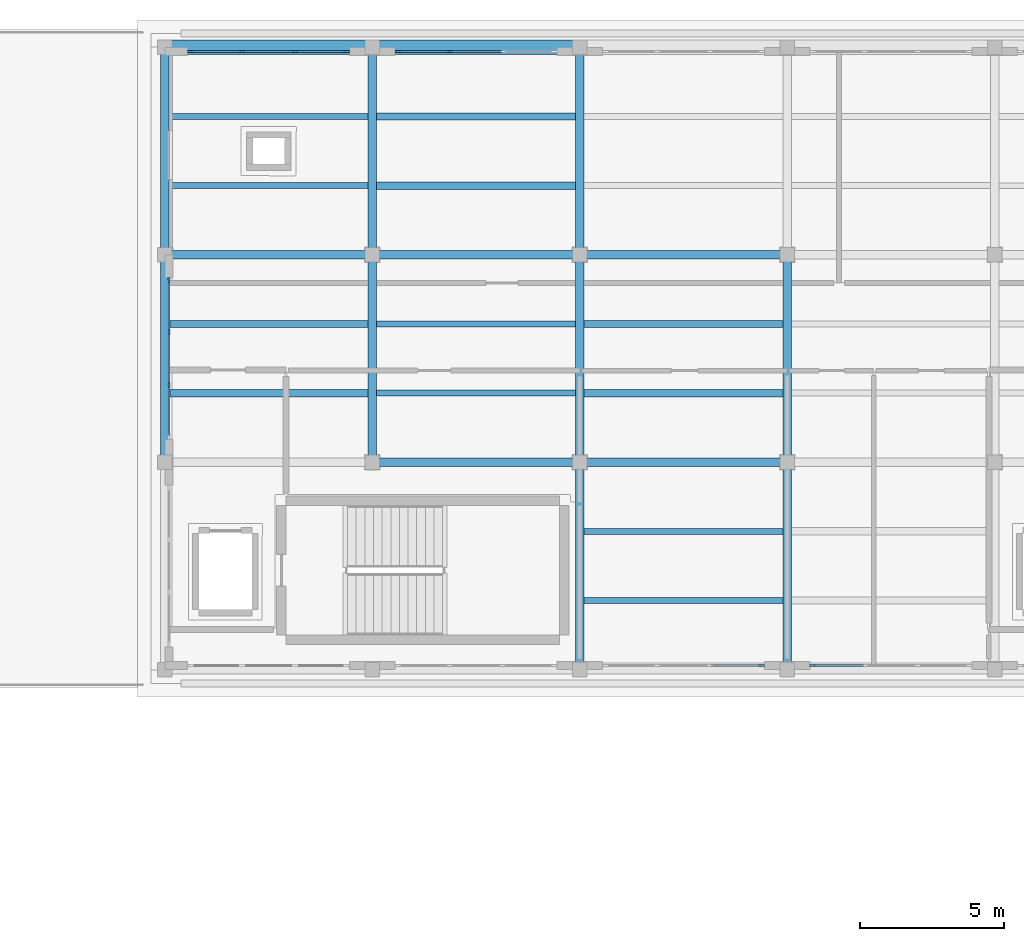
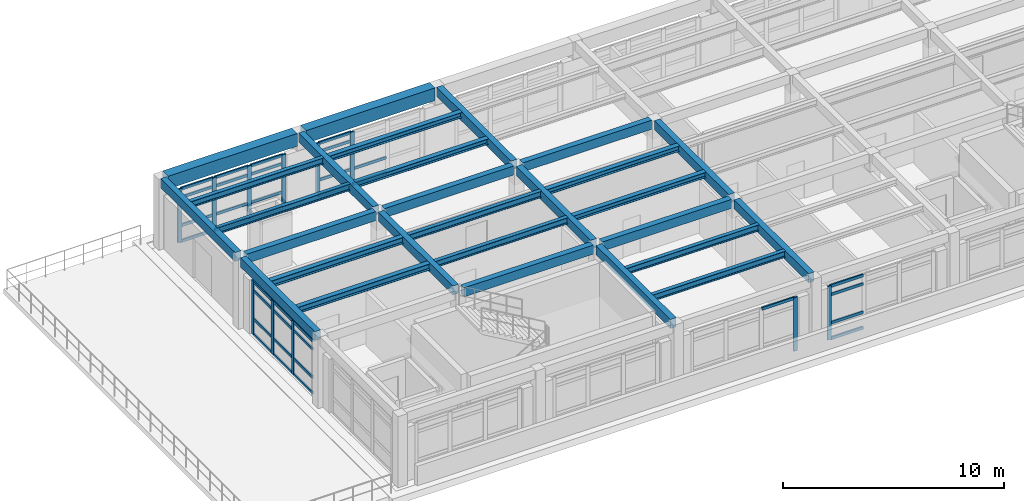
# One storey, part 3 of 15: 46 members, 28 beams, 5 elements without a shape of their own.
"""IFC4 building model written with IfcOpenShell, lengths in metres."""

import ifcopenshell
import ifcopenshell.guid

model = None  # the IFC model being written
_history = None  # IfcOwnerHistory: only IFC2X3 demands one
_inside = {}  # id of a spatial element -> (the spatial element, [elements in it])
_under = {}  # id of a project, library or spatial element -> (it, [spatial elements below it])
_declared = {}  # id of a project -> (the project, [libraries it declares])
_typed = {}  # id of a type object -> (the type object, [elements of that type])
_made_of = {}  # id of a material, layer set ... -> (it, [elements and type objects made of it])


def new_model(schema):
    """Start an empty IFC model of exactly this schema.

    Asked for "IFC4X3", IfcOpenShell would pick the latest addendum, in which some entities
    have other attributes; the version numbers below select the first issue.
    IFC2X3 requires an IfcOwnerHistory on every rooted entity: one is made here for all.
    """
    global model, _history
    if schema == "IFC4X3":
        model = ifcopenshell.file(schema_version=(4, 3, 0, 0))
    else:
        model = ifcopenshell.file(schema=schema)
    _inside.clear()
    _under.clear()
    _declared.clear()
    _typed.clear()
    _made_of.clear()
    _history = None
    if model.schema == "IFC2X3":
        org = make("IfcOrganization", Name="unknown")
        user = make(
            "IfcPersonAndOrganization",
            ThePerson=make("IfcPerson", FamilyName="unknown"),
            TheOrganization=org,
        )
        app = make(
            "IfcApplication",
            ApplicationDeveloper=org,
            Version="unknown",
            ApplicationFullName="unknown",
            ApplicationIdentifier="unknown",
        )
        _history = make(
            "IfcOwnerHistory",
            OwningUser=user,
            OwningApplication=app,
            ChangeAction="ADDED",
            CreationDate=0,
        )
    return model


def make(cls, **values):
    """One entity of the class cls with the attributes given. An attribute that is None is left unset."""
    return model.create_entity(
        cls, **{name: value for name, value in values.items() if value is not None}
    )


def rooted(cls, **values):
    """An entity with a GlobalId (a new one), such as an element, a storey or a relation."""
    return make(cls, GlobalId=ifcopenshell.guid.new(), OwnerHistory=_history, **values)


def si_unit(unit_type, name, prefix=None):
    """IfcSIUnit, for example si_unit("LENGTHUNIT", "METRE", prefix="MILLI")."""
    return make("IfcSIUnit", UnitType=unit_type, Prefix=prefix, Name=name)


def assignment(units):
    """IfcUnitAssignment: the units of a project."""
    return None if units is None else make("IfcUnitAssignment", Units=units)


def point(xyz):
    """IfcCartesianPoint."""
    return None if xyz is None else make("IfcCartesianPoint", Coordinates=xyz)


def direction(xyz):
    """IfcDirection."""
    return None if xyz is None else make("IfcDirection", DirectionRatios=xyz)


def frame(location, z_axis=None, x_axis=None):
    """IfcAxis2Placement3D, a coordinate frame: its origin and axes. An axis left out is left unset."""
    return make(
        "IfcAxis2Placement3D",
        Location=point(location),
        Axis=direction(z_axis),
        RefDirection=direction(x_axis),
    )


def frame_2d(location, x_axis=None):
    """IfcAxis2Placement2D, a coordinate frame in the plane: its origin and x axis."""
    return make(
        "IfcAxis2Placement2D", Location=point(location), RefDirection=direction(x_axis)
    )


def origin():
    """The frame at (0, 0, 0) with its axes left unset."""
    return frame((0.0, 0.0, 0.0))


def origin_2d():
    """The frame at (0, 0) in the plane with its x axis left unset."""
    return frame_2d((0.0, 0.0))


def place(relative_to, where):
    """IfcLocalPlacement: puts the frame where relative to a parent placement (None: the world)."""
    return make(
        "IfcLocalPlacement", PlacementRelTo=relative_to, RelativePlacement=where
    )


def context(
    kind, dimensions, precision=None, world=None, true_north=None, identifier=None
):
    """IfcGeometricRepresentationContext, for example the 3D "Model" context."""
    return make(
        "IfcGeometricRepresentationContext",
        ContextIdentifier=identifier,
        ContextType=kind,
        CoordinateSpaceDimension=dimensions,
        Precision=precision,
        WorldCoordinateSystem=world,
        TrueNorth=true_north,
    )


def subcontext(parent, identifier, kind, view, scale=None):
    """IfcGeometricRepresentationSubContext, for example "Body" below "Model"."""
    return make(
        "IfcGeometricRepresentationSubContext",
        ContextIdentifier=identifier,
        ContextType=kind,
        ParentContext=parent,
        TargetScale=scale,
        TargetView=view,
    )


def project(units=None, contexts=None):
    """IfcProject with its units and contexts."""
    return rooted(
        "IfcProject",
        Name="project",
        RepresentationContexts=contexts,
        UnitsInContext=assignment(units),
    )


def spatial(cls, under=None, at=None, **own):
    """A site, building, storey or space (cls), placed at a placement, below another one or the project."""
    s = rooted(cls, ObjectPlacement=at, **own)
    if under is not None:
        _under.setdefault(under.id(), (under, []))[1].append(s)
    return s


def profile(cls, at=None, kind="AREA", **sizes):
    """A parametric profile (cls). Its sizes go by their IFC names, for example OverallWidth=200.0."""
    return make(cls, ProfileType=kind, Position=at, **sizes)


def rectangle(**sizes):
    """IfcRectangleProfileDef."""
    return profile("IfcRectangleProfileDef", **sizes)


def i_section(**sizes):
    """IfcIShapeProfileDef."""
    return profile("IfcIShapeProfileDef", **sizes)


def extrude(swept, where, along, depth):
    """IfcExtrudedAreaSolid: the profile swept, set in the frame where, extruded along a direction by depth."""
    return make(
        "IfcExtrudedAreaSolid",
        SweptArea=swept,
        Position=where,
        ExtrudedDirection=direction(along),
        Depth=depth,
    )


def shape(context_of_items, identifier, shape_type, items):
    """IfcShapeRepresentation: the items that make up one representation, for example the "Body"."""
    return make(
        "IfcShapeRepresentation",
        ContextOfItems=context_of_items,
        RepresentationIdentifier=identifier,
        RepresentationType=shape_type,
        Items=items,
    )


def material(Name=None, Category=None):
    """IfcMaterial."""
    return make("IfcMaterial", Name=Name, Category=Category)


def layer(
    of_material, thickness, ventilated=None, Name=None, Category=None, Priority=None
):
    """IfcMaterialLayer: one layer of a wall or slab, of a material (None: an air gap)."""
    return make(
        "IfcMaterialLayer",
        Material=of_material,
        LayerThickness=thickness,
        IsVentilated=ventilated,
        Name=Name,
        Category=Category,
        Priority=Priority,
    )


def layer_set(layers, Name=None):
    """IfcMaterialLayerSet."""
    return make("IfcMaterialLayerSet", MaterialLayers=layers, LayerSetName=Name)


def material_profile(
    of_material, cross_section, Name=None, Category=None, Priority=None
):
    """IfcMaterialProfile: a cross section and its material."""
    return make(
        "IfcMaterialProfile",
        Name=Name,
        Material=of_material,
        Profile=cross_section,
        Priority=Priority,
        Category=Category,
    )


def profile_set(profiles, Name=None, composite=None):
    """IfcMaterialProfileSet."""
    return make(
        "IfcMaterialProfileSet",
        Name=Name,
        MaterialProfiles=profiles,
        CompositeProfile=composite,
    )


def made_of(thing, what):
    """Note that an element or type object is made of a material, layer set ...; save() writes the relation."""
    if what is not None:
        _made_of.setdefault(what.id(), (what, []))[1].append(thing)
    return thing


def type_object(cls, material=None, **own):
    """A type object (cls), such as IfcWallType, which elements share."""
    return made_of(rooted(cls, **own), material)


def element(
    cls,
    number,
    at=None,
    inside=None,
    cuts=None,
    type_object=None,
    material=None,
    context=None,
    identifier="Body",
    shape_type=None,
    held_by="IfcProductDefinitionShape",
    body=None,
    shapes=None,
    **own,
):
    """One element of the class cls, such as IfcWall. Its Tag is "e" and its number.

    at: its placement. inside: the storey or other place that contains it. cuts: it is an
    opening in that element (IfcRelVoidsElement). A single representation is given by context,
    identifier, shape_type and body (its items); several are given by shapes. held_by: the class
    of the entity that holds the representations. save() writes the other relations.
    """
    e = rooted(cls, Tag="e%d" % number, ObjectPlacement=at, **own)
    if body is not None:
        shapes = [shape(context, identifier, shape_type, body)]
    if shapes is not None:
        e.Representation = make(held_by, Representations=shapes)
    if inside is not None:
        _inside.setdefault(inside.id(), (inside, []))[1].append(e)
    if cuts is not None:
        rooted(
            "IfcRelVoidsElement", RelatingBuildingElement=cuts, RelatedOpeningElement=e
        )
    if type_object is not None:
        _typed.setdefault(type_object.id(), (type_object, []))[1].append(e)
    return made_of(e, material)


def aggregate(whole, parts):
    """IfcRelAggregates: a whole, such as a stair, and the parts it consists of."""
    return rooted("IfcRelAggregates", RelatingObject=whole, RelatedObjects=parts)


def save(model, path):
    """Write the relations noted so far, then the file.

    IfcRelAggregates (storeys below a building ...), IfcRelContainedInSpatialStructure (elements
    in a storey), IfcRelDefinesByType, IfcRelAssociatesMaterial and IfcRelDeclares: one each for
    every whole, place, type object, material and project.
    """
    for whole, parts in _under.values():
        aggregate(whole, parts)
    for where, things in _inside.values():
        rooted(
            "IfcRelContainedInSpatialStructure",
            RelatedElements=things,
            RelatingStructure=where,
        )
    for kind, things in _typed.values():
        rooted("IfcRelDefinesByType", RelatedObjects=things, RelatingType=kind)
    for what, things in _made_of.values():
        rooted("IfcRelAssociatesMaterial", RelatedObjects=things, RelatingMaterial=what)
    for by, libraries in _declared.values():
        rooted("IfcRelDeclares", RelatingContext=by, RelatedDefinitions=libraries)
    model.write(path)


model = new_model("IFC4")

# Units and contexts
model_context = context("Model", 3, precision=1e-05, world=origin(), true_north=direction((0.0, 1.0)))
body_context = subcontext(model_context, "Body", "Model", "MODEL_VIEW")
ifc_project = project(units=[si_unit("LENGTHUNIT", "METRE"), si_unit("AREAUNIT", "SQUARE_METRE"), si_unit("VOLUMEUNIT", "CUBIC_METRE"), si_unit("PLANEANGLEUNIT", "RADIAN"), si_unit("MASSUNIT", "GRAM", prefix="KILO")], contexts=[model_context])

# Site, building, storey
site_placement = place(None, origin())
site = spatial("IfcSite", under=ifc_project, at=site_placement, CompositionType="ELEMENT")
building_placement = place(site_placement, origin())
building = spatial("IfcBuilding", under=site, at=building_placement, Name="Solenvale Faculty of Natural Sciences", CompositionType="ELEMENT")
storey_placement = place(building_placement, frame((0.0, 0.0, 48.0)))
storey = spatial("IfcBuildingStorey", under=building, at=storey_placement, Name="L11", CompositionType="ELEMENT", Elevation=48.0)

# Beams
ifc_material_1 = material(Name="Concrete 40 MPa", Category="concrete")
ifc_material_profile_1 = material_profile(ifc_material_1, rectangle(XDim=0.300048828125, YDim=0.5, at=origin_2d()), Name="RC-BM-300x500")
ifc_profile_set_1 = profile_set([ifc_material_profile_1], Name="Concrete 40 MPa")
beam_type_1 = type_object("IfcBeamType", Name="BM-RC-300x500", PredefinedType="BEAM", material=ifc_profile_set_1)
for number, where, z_axis, x_axis, name in (
    (1, (108.22998046875, 100.800048828125, 3.669921875), (1.0, 0.0, 0.0), (0.0, 1.0, 0.0), "L11 X-Girder Y100.8 (108.0..115.2)"),
    (2, (115.429931640625, 100.800048828125, 3.669921875), (1.0, 0.0, 0.0), (0.0, 1.0, 0.0), "L11 X-Girder Y100.8 (115.2..122.4)"),
    (3, (101.030029296875, 108.0, 3.669921875), (1.0, 0.0, 0.0), (0.0, 1.0, 0.0), "L11 X-Girder Y108.0 (100.8..108.0)"),
    (4, (108.22998046875, 108.0, 3.669921875), (1.0, 0.0, 0.0), (0.0, 1.0, 0.0), "L11 X-Girder Y108.0 (108.0..115.2)"),
    (5, (115.429931640625, 108.0, 3.669921875), (1.0, 0.0, 0.0), (0.0, 1.0, 0.0), "L11 X-Girder Y108.0 (115.2..122.4)"),
    (6, (100.800048828125, 101.030029296875, 3.669921875), (0.0, 1.0, 0.0), (-1.0, 0.0, 0.0), "L11 Y-Girder X100.8 (100.8..108.0)"),
    (7, (100.800048828125, 108.22998046875, 3.669921875), (0.0, 1.0, 0.0), (-1.0, 0.0, 0.0), "L11 Y-Girder X100.8 (108.0..115.2)"),
    (8, (108.0, 101.030029296875, 3.669921875), (0.0, 1.0, 0.0), (-1.0, 0.0, 0.0), "L11 Y-Girder X108.0 (100.8..108.0)"),
    (9, (108.0, 108.22998046875, 3.669921875), (0.0, 1.0, 0.0), (-1.0, 0.0, 0.0), "L11 Y-Girder X108.0 (108.0..115.2)"),
    (10, (115.199951171875, 93.830078125, 3.669921875), (0.0, 1.0, 0.0), (-1.0, 0.0, 0.0), "L11 Y-Girder X115.2 (93.6..100.8)"),
    (11, (115.199951171875, 101.030029296875, 3.669921875), (0.0, 1.0, 0.0), (-1.0, 0.0, 0.0), "L11 Y-Girder X115.2 (100.8..108.0)"),
    (12, (115.199951171875, 108.22998046875, 3.669921875), (0.0, 1.0, 0.0), (-1.0, 0.0, 0.0), "L11 Y-Girder X115.2 (108.0..115.2)"),
    (13, (122.39990234375, 93.830078125, 3.669921875), (0.0, 1.0, 0.0), (-1.0, 0.0, 0.0), "L11 Y-Girder X122.4 (93.6..100.8)"),
    (14, (122.39990234375, 101.030029296875, 3.669921875), (0.0, 1.0, 0.0), (-1.0, 0.0, 0.0), "L11 Y-Girder X122.4 (100.8..108.0)"),
):
    element("IfcBeam", number, at=place(storey_placement, frame(where, z_axis=z_axis, x_axis=x_axis)), inside=storey, type_object=beam_type_1, Name=name, PredefinedType="BEAM", context=body_context, shape_type="SweptSolid", body=[
        extrude(rectangle(XDim=0.300048828125, YDim=0.5, at=origin_2d()), origin(), (0.0, 0.0, 1.0), 6.739990234375),
    ])
ifc_material_2 = material(Name="Precast concrete 40 MPa", Category="concrete")
ifc_material_profile_2 = material_profile(ifc_material_2, rectangle(XDim=0.5, YDim=0.699951171875, at=origin_2d()), Name="RC-BM-500x700")
ifc_profile_set_2 = profile_set([ifc_material_profile_2], Name="Precast concrete 40 MPa")
beam_type_2 = type_object("IfcBeamType", Name="BM-SPN-PRC-700", PredefinedType="SPANDREL", material=ifc_profile_set_2)
for number, where, z_axis, x_axis, name in (
    (15, (101.030029296875, 115.199951171875, 3.570068359375), (1.0, 0.0, 0.0), (0.0, 1.0, 0.0), "L11 X-Girder Y115.2 (100.8..108.0)"),
    (16, (108.22998046875, 115.199951171875, 3.570068359375), (1.0, 0.0, 0.0), (0.0, 1.0, 0.0), "L11 X-Girder Y115.2 (108.0..115.2)"),
):
    element("IfcBeam", number, at=place(storey_placement, frame(where, z_axis=z_axis, x_axis=x_axis)), inside=storey, type_object=beam_type_2, Name=name, PredefinedType="SPANDREL", context=body_context, shape_type="SweptSolid", body=[
        extrude(rectangle(XDim=0.5, YDim=0.699951171875, at=origin_2d()), origin(), (0.0, 0.0, 1.0), 6.739990234375),
    ])
ifc_material_3 = material(Name="Steel S355", Category="steel")
ifc_material_profile_3 = material_profile(ifc_material_3, i_section(OverallWidth=0.25390625, OverallDepth=0.305908203125, WebThickness=0.0087890625, FlangeThickness=0.0146484375, FilletRadius=0.014892578125, at=origin_2d()), Name="W310x79")
ifc_profile_set_3 = profile_set([ifc_material_profile_3], Name="Steel S355")
beam_type_3 = type_object("IfcBeamType", Name="BM-STL-W310x79", PredefinedType="JOIST", material=ifc_profile_set_3)
for number, where, z_axis, x_axis, name in (
    (17, (108.1298828125, 110.39990234375, 3.76708984375), (1.0, 0.0, 0.0), (0.0, 1.0, 0.0), "L11 Composite Floor Joist (16,16).1"),
    (18, (108.1298828125, 112.800048828125, 3.76708984375), (1.0, 0.0, 0.0), (0.0, 1.0, 0.0), "L11 Composite Floor Joist (16,16).2"),
):
    element("IfcBeam", number, at=place(storey_placement, frame(where, z_axis=z_axis, x_axis=x_axis)), inside=storey, type_object=beam_type_3, Name=name, PredefinedType="JOIST", context=body_context, shape_type="SweptSolid", body=[
        extrude(i_section(OverallWidth=0.25390625, OverallDepth=0.305908203125, WebThickness=0.0087890625, FlangeThickness=0.0146484375, FilletRadius=0.014892578125, at=origin_2d()), origin(), (0.0, 0.0, 1.0), 6.940185546875),
    ])
for number, where, z_axis, x_axis, name in (
    (19, (115.330078125, 103.199951171875, 3.76708984375), (1.0, 0.0, 0.0), (0.0, 1.0, 0.0), "L11 Composite Floor Joist (17,15).1"),
    (20, (115.330078125, 105.60009765625, 3.76708984375), (1.0, 0.0, 0.0), (0.0, 1.0, 0.0), "L11 Composite Floor Joist (17,15).2"),
):
    element("IfcBeam", number, at=place(storey_placement, frame(where, z_axis=z_axis, x_axis=x_axis)), inside=storey, type_object=beam_type_3, Name=name, PredefinedType="JOIST", context=body_context, shape_type="SweptSolid", body=[
        extrude(i_section(OverallWidth=0.25390625, OverallDepth=0.305908203125, WebThickness=0.0087890625, FlangeThickness=0.0146484375, FilletRadius=0.014892578125, at=origin_2d()), origin(), (0.0, 0.0, 1.0), 6.93994140625),
    ])
ifc_material_profile_4 = material_profile(ifc_material_3, i_section(OverallWidth=0.2548828125, OverallDepth=0.35693359375, WebThickness=0.010498046875, FlangeThickness=0.018310546875, FilletRadius=0.014892578125, at=origin_2d()), Name="W360x101")
ifc_profile_set_4 = profile_set([ifc_material_profile_4], Name="Steel S355")
beam_type_4 = type_object("IfcBeamType", Name="BM-STL-W360x101", PredefinedType="JOIST", material=ifc_profile_set_4)
for number, where, z_axis, x_axis, name in (
    (21, (100.929931640625, 103.199951171875, 3.741455078125), (1.0, 0.0, 0.0), (0.0, 1.0, 0.0), "L11 Composite Floor Joist (15,15).1"),
    (22, (100.929931640625, 105.60009765625, 3.741455078125), (1.0, 0.0, 0.0), (0.0, 1.0, 0.0), "L11 Composite Floor Joist (15,15).2"),
):
    element("IfcBeam", number, at=place(storey_placement, frame(where, z_axis=z_axis, x_axis=x_axis)), inside=storey, type_object=beam_type_4, Name=name, PredefinedType="JOIST", context=body_context, shape_type="SweptSolid", body=[
        extrude(i_section(OverallWidth=0.2548828125, OverallDepth=0.35693359375, WebThickness=0.010498046875, FlangeThickness=0.018310546875, FilletRadius=0.014892578125, at=origin_2d()), origin(), (0.0, 0.0, 1.0), 6.940185546875),
    ])
ifc_material_profile_5 = material_profile(ifc_material_3, i_section(OverallWidth=0.2041015625, OverallDepth=0.35009765625, WebThickness=0.008544921875, FlangeThickness=0.01513671875, FilletRadius=0.014892578125, at=origin_2d()), Name="W360x72")
ifc_profile_set_5 = profile_set([ifc_material_profile_5], Name="Steel S355")
beam_type_5 = type_object("IfcBeamType", Name="BM-STL-W360x72", PredefinedType="JOIST", material=ifc_profile_set_5)
for number, where, z_axis, x_axis, name in (
    (23, (100.929931640625, 110.39990234375, 3.7451171875), (1.0, 0.0, 0.0), (0.0, 1.0, 0.0), "L11 Composite Floor Joist (15,16).1"),
    (24, (100.929931640625, 112.800048828125, 3.7451171875), (1.0, 0.0, 0.0), (0.0, 1.0, 0.0), "L11 Composite Floor Joist (15,16).2"),
    (25, (108.1298828125, 103.199951171875, 3.7451171875), (1.0, 0.0, 0.0), (0.0, 1.0, 0.0), "L11 Composite Floor Joist (16,15).1"),
    (26, (108.1298828125, 105.60009765625, 3.7451171875), (1.0, 0.0, 0.0), (0.0, 1.0, 0.0), "L11 Composite Floor Joist (16,15).2"),
):
    element("IfcBeam", number, at=place(storey_placement, frame(where, z_axis=z_axis, x_axis=x_axis)), inside=storey, type_object=beam_type_5, Name=name, PredefinedType="JOIST", context=body_context, shape_type="SweptSolid", body=[
        extrude(i_section(OverallWidth=0.2041015625, OverallDepth=0.35009765625, WebThickness=0.008544921875, FlangeThickness=0.01513671875, FilletRadius=0.014892578125, at=origin_2d()), origin(), (0.0, 0.0, 1.0), 6.940185546875),
    ])
for number, where, z_axis, x_axis, name in (
    (27, (115.330078125, 96.0, 3.7451171875), (1.0, 0.0, 0.0), (0.0, 1.0, 0.0), "L11 Composite Floor Joist (17,14).1"),
    (28, (115.330078125, 98.39990234375, 3.7451171875), (1.0, 0.0, 0.0), (0.0, 1.0, 0.0), "L11 Composite Floor Joist (17,14).2"),
):
    element("IfcBeam", number, at=place(storey_placement, frame(where, z_axis=z_axis, x_axis=x_axis)), inside=storey, type_object=beam_type_5, Name=name, PredefinedType="JOIST", context=body_context, shape_type="SweptSolid", body=[
        extrude(i_section(OverallWidth=0.2041015625, OverallDepth=0.35009765625, WebThickness=0.008544921875, FlangeThickness=0.01513671875, FilletRadius=0.014892578125, at=origin_2d()), origin(), (0.0, 0.0, 1.0), 6.93994140625),
    ])

# Curtain wall, members
ifc_material_4 = material(Name="Anodised bronze aluminium", Category="aluminium")
ifc_layer = layer(ifc_material_4, 0.179931640625)
ifc_layer_set = layer_set([ifc_layer], Name="Anodised bronze aluminium")
curtain_wall_type = type_object("IfcCurtainWallType", Name="CW-TWR-MOD", PredefinedType="USERDEFINED", material=ifc_layer_set)
curtain_wall_1_placement = place(storey_placement, origin())
curtain_wall_1 = element("IfcCurtainWall", 29, at=curtain_wall_1_placement, inside=storey, type_object=curtain_wall_type, Name="L11 Curtain Wall CW-L11-P1-E2-B6", ObjectType="UNITISED CURTAIN WALL", PredefinedType="USERDEFINED")
ifc_material_profile_6 = material_profile(ifc_material_4, rectangle(XDim=0.074951171875, YDim=0.2099609375, at=origin_2d()), Name="ALU-MUL-75x210")
ifc_profile_set_6 = profile_set([ifc_material_profile_6], Name="Anodised bronze aluminium")
member_type_1 = type_object("IfcMemberType", Name="CWM-ALU-75x210", PredefinedType="MULLION", material=ifc_profile_set_6)
member_1_placement = place(storey_placement, frame((110.683349609375, 115.0576171875, 0.0), z_axis=(0.0, 0.0, 1.0), x_axis=(0.0, -1.0, 0.0)))
member_1 = element("IfcMember", 30, at=member_1_placement, type_object=member_type_1, Name="CW-04 mullion 3", PredefinedType="MULLION", context=body_context, shape_type="SweptSolid", body=[
    extrude(rectangle(XDim=0.074951171875, YDim=0.2099609375, at=origin_2d()), origin(), (0.0, 0.0, 1.0), 2.9599609375),
])
member_2_placement = place(storey_placement, frame((108.887451171875, 115.0576171875, 0.0), z_axis=(0.0, 0.0, 1.0), x_axis=(0.0, -1.0, 0.0)))
member_2 = element("IfcMember", 31, at=member_2_placement, type_object=member_type_1, Name="CW-04 mullion 4", PredefinedType="MULLION", context=body_context, shape_type="SweptSolid", body=[
    extrude(rectangle(XDim=0.074951171875, YDim=0.2099609375, at=origin_2d()), origin(), (0.0, 0.0, 1.0), 2.9599609375),
])

curtain_wall_2_placement = place(storey_placement, origin())
curtain_wall_2 = element("IfcCurtainWall", 32, at=curtain_wall_2_placement, inside=storey, type_object=curtain_wall_type, Name="L11 Curtain Wall CW-L11-P1-E2-B7", ObjectType="UNITISED CURTAIN WALL", PredefinedType="USERDEFINED")
member_3_placement = place(storey_placement, frame((107.112548828125, 115.0576171875, 0.0), z_axis=(0.0, 0.0, 1.0), x_axis=(0.0, -1.0, 0.0)))
member_3 = element("IfcMember", 33, at=member_3_placement, type_object=member_type_1, Name="CW-04 mullion 1", PredefinedType="MULLION", context=body_context, shape_type="SweptSolid", body=[
    extrude(rectangle(XDim=0.074951171875, YDim=0.2099609375, at=origin_2d()), origin(), (0.0, 0.0, 1.0), 2.9599609375),
])
member_4_placement = place(storey_placement, frame((105.316650390625, 115.0576171875, 0.0), z_axis=(0.0, 0.0, 1.0), x_axis=(0.0, -1.0, 0.0)))
member_4 = element("IfcMember", 34, at=member_4_placement, type_object=member_type_1, Name="CW-04 mullion 2", PredefinedType="MULLION", context=body_context, shape_type="SweptSolid", body=[
    extrude(rectangle(XDim=0.074951171875, YDim=0.2099609375, at=origin_2d()), origin(), (0.0, 0.0, 1.0), 2.9599609375),
])
member_5_placement = place(storey_placement, frame((103.4833984375, 115.0576171875, 0.0), z_axis=(0.0, 0.0, 1.0), x_axis=(0.0, -1.0, 0.0)))
member_5 = element("IfcMember", 35, at=member_5_placement, type_object=member_type_1, Name="CW-04 mullion 3", PredefinedType="MULLION", context=body_context, shape_type="SweptSolid", body=[
    extrude(rectangle(XDim=0.074951171875, YDim=0.2099609375, at=origin_2d()), origin(), (0.0, 0.0, 1.0), 2.9599609375),
])
member_6_placement = place(storey_placement, frame((101.6875, 115.0576171875, 0.0), z_axis=(0.0, 0.0, 1.0), x_axis=(0.0, -1.0, 0.0)))
member_6 = element("IfcMember", 36, at=member_6_placement, type_object=member_type_1, Name="CW-04 mullion 4", PredefinedType="MULLION", context=body_context, shape_type="SweptSolid", body=[
    extrude(rectangle(XDim=0.074951171875, YDim=0.2099609375, at=origin_2d()), origin(), (0.0, 0.0, 1.0), 2.9599609375),
])

curtain_wall_3_placement = place(storey_placement, origin())
curtain_wall_3 = element("IfcCurtainWall", 37, at=curtain_wall_3_placement, inside=storey, type_object=curtain_wall_type, Name="L11 Curtain Wall CW-L11-P1-E3-B2", ObjectType="UNITISED CURTAIN WALL", PredefinedType="USERDEFINED")
member_7_placement = place(storey_placement, frame((100.9423828125, 107.112548828125, 0.0), z_axis=(0.0, 0.0, 1.0), x_axis=(1.0, 0.0, 0.0)))
member_7 = element("IfcMember", 38, at=member_7_placement, type_object=member_type_1, Name="CW-04 mullion 1", PredefinedType="MULLION", context=body_context, shape_type="SweptSolid", body=[
    extrude(rectangle(XDim=0.074951171875, YDim=0.2099609375, at=origin_2d()), origin(), (0.0, 0.0, 1.0), 2.9599609375),
])
member_8_placement = place(storey_placement, frame((100.9423828125, 105.316650390625, 0.0), z_axis=(0.0, 0.0, 1.0), x_axis=(1.0, 0.0, 0.0)))
member_8 = element("IfcMember", 39, at=member_8_placement, type_object=member_type_1, Name="CW-04 mullion 2", PredefinedType="MULLION", context=body_context, shape_type="SweptSolid", body=[
    extrude(rectangle(XDim=0.074951171875, YDim=0.2099609375, at=origin_2d()), origin(), (0.0, 0.0, 1.0), 2.9599609375),
])
member_9_placement = place(storey_placement, frame((100.9423828125, 103.4833984375, 0.0), z_axis=(0.0, 0.0, 1.0), x_axis=(1.0, 0.0, 0.0)))
member_9 = element("IfcMember", 40, at=member_9_placement, type_object=member_type_1, Name="CW-04 mullion 3", PredefinedType="MULLION", context=body_context, shape_type="SweptSolid", body=[
    extrude(rectangle(XDim=0.074951171875, YDim=0.2099609375, at=origin_2d()), origin(), (0.0, 0.0, 1.0), 2.9599609375),
])

# Curtain wall, member
curtain_wall_4_placement = place(storey_placement, origin())
curtain_wall_4 = element("IfcCurtainWall", 41, at=curtain_wall_4_placement, inside=storey, type_object=curtain_wall_type, Name="L11 Curtain Wall CW-L11-P1-E4-B3", ObjectType="UNITISED CURTAIN WALL", PredefinedType="USERDEFINED")
member_10_placement = place(storey_placement, frame((121.512451171875, 93.742431640625, 0.0), z_axis=(0.0, 0.0, 1.0), x_axis=(0.0, 1.0, 0.0)))
member_10 = element("IfcMember", 42, at=member_10_placement, type_object=member_type_1, Name="CW-04 mullion 4", PredefinedType="MULLION", context=body_context, shape_type="SweptSolid", body=[
    extrude(rectangle(XDim=0.074951171875, YDim=0.2099609375, at=origin_2d()), origin(), (0.0, 0.0, 1.0), 2.9599609375),
])

curtain_wall_5_placement = place(storey_placement, origin())
curtain_wall_5 = element("IfcCurtainWall", 43, at=curtain_wall_5_placement, inside=storey, type_object=curtain_wall_type, Name="L11 Curtain Wall CW-L11-P1-E4-B4", ObjectType="UNITISED CURTAIN WALL", PredefinedType="USERDEFINED")
member_11_placement = place(storey_placement, frame((123.28759765625, 93.742431640625, 0.0), z_axis=(0.0, 0.0, 1.0), x_axis=(0.0, 1.0, 0.0)))
member_11 = element("IfcMember", 44, at=member_11_placement, type_object=member_type_1, Name="CW-04 mullion 1", PredefinedType="MULLION", context=body_context, shape_type="SweptSolid", body=[
    extrude(rectangle(XDim=0.074951171875, YDim=0.2099609375, at=origin_2d()), origin(), (0.0, 0.0, 1.0), 2.9599609375),
])

# Member
ifc_material_profile_7 = material_profile(ifc_material_4, rectangle(XDim=0.074951171875, YDim=0.155029296875, at=origin_2d()), Name="ALU-TRN-75x155")
ifc_profile_set_7 = profile_set([ifc_material_profile_7], Name="Anodised bronze aluminium")
member_type_2 = type_object("IfcMemberType", Name="CWT-ALU-75x155", PredefinedType="USERDEFINED", material=ifc_profile_set_7)
member_12_placement = place(storey_placement, frame((112.479248046875, 115.0576171875, 0.03759765625), z_axis=(-1.0, 0.0, 0.0), x_axis=(0.0, -1.0, 0.0)))
member_12 = element("IfcMember", 45, at=member_12_placement, type_object=member_type_2, Name="CW-04 transom 2.1", ObjectType="TRANSOM", PredefinedType="USERDEFINED", context=body_context, shape_type="SweptSolid", body=[
    extrude(rectangle(XDim=0.074951171875, YDim=0.155029296875, at=origin_2d()), origin(), (0.0, 0.0, 1.0), 1.75830078125),
])

member_13_placement = place(storey_placement, frame((112.479248046875, 115.0576171875, 0.89990234375), z_axis=(-1.0, 0.0, 0.0), x_axis=(0.0, -1.0, 0.0)))
member_13 = element("IfcMember", 46, at=member_13_placement, type_object=member_type_2, Name="CW-04 transom 2.2", ObjectType="TRANSOM", PredefinedType="USERDEFINED", context=body_context, shape_type="SweptSolid", body=[
    extrude(rectangle(XDim=0.074951171875, YDim=0.155029296875, at=origin_2d()), origin(), (0.0, 0.0, 1.0), 1.75830078125),
])

member_14_placement = place(storey_placement, frame((110.645751953125, 115.0576171875, 0.03759765625), z_axis=(-1.0, 0.0, 0.0), x_axis=(0.0, -1.0, 0.0)))
member_14 = element("IfcMember", 47, at=member_14_placement, type_object=member_type_2, Name="CW-04 transom 3.1", ObjectType="TRANSOM", PredefinedType="USERDEFINED", context=body_context, shape_type="SweptSolid", body=[
    extrude(rectangle(XDim=0.074951171875, YDim=0.155029296875, at=origin_2d()), origin(), (0.0, 0.0, 1.0), 1.720703125),
])

member_15_placement = place(storey_placement, frame((110.645751953125, 115.0576171875, 0.89990234375), z_axis=(-1.0, 0.0, 0.0), x_axis=(0.0, -1.0, 0.0)))
member_15 = element("IfcMember", 48, at=member_15_placement, type_object=member_type_2, Name="CW-04 transom 3.2", ObjectType="TRANSOM", PredefinedType="USERDEFINED", context=body_context, shape_type="SweptSolid", body=[
    extrude(rectangle(XDim=0.074951171875, YDim=0.155029296875, at=origin_2d()), origin(), (0.0, 0.0, 1.0), 1.720703125),
])

member_16_placement = place(storey_placement, frame((110.645751953125, 115.0576171875, 2.4599609375), z_axis=(-1.0, 0.0, 0.0), x_axis=(0.0, -1.0, 0.0)))
member_16 = element("IfcMember", 49, at=member_16_placement, type_object=member_type_2, Name="CW-04 transom 3.3", ObjectType="TRANSOM", PredefinedType="USERDEFINED", context=body_context, shape_type="SweptSolid", body=[
    extrude(rectangle(XDim=0.074951171875, YDim=0.155029296875, at=origin_2d()), origin(), (0.0, 0.0, 1.0), 1.720703125),
])

member_17_placement = place(storey_placement, frame((110.645751953125, 115.0576171875, 2.922607421875), z_axis=(-1.0, 0.0, 0.0), x_axis=(0.0, -1.0, 0.0)))
member_17 = element("IfcMember", 50, at=member_17_placement, type_object=member_type_2, Name="CW-04 transom 3.4", ObjectType="TRANSOM", PredefinedType="USERDEFINED", context=body_context, shape_type="SweptSolid", body=[
    extrude(rectangle(XDim=0.074951171875, YDim=0.155029296875, at=origin_2d()), origin(), (0.0, 0.0, 1.0), 1.720703125),
])

aggregate(curtain_wall_1, [member_1, member_2, member_12, member_13, member_14, member_15, member_16, member_17])

member_18_placement = place(storey_placement, frame((107.074951171875, 115.0576171875, 0.03759765625), z_axis=(-1.0, 0.0, 0.0), x_axis=(0.0, -1.0, 0.0)))
member_18 = element("IfcMember", 51, at=member_18_placement, type_object=member_type_2, Name="CW-04 transom 1.1", ObjectType="TRANSOM", PredefinedType="USERDEFINED", context=body_context, shape_type="SweptSolid", body=[
    extrude(rectangle(XDim=0.074951171875, YDim=0.155029296875, at=origin_2d()), origin(), (0.0, 0.0, 1.0), 1.720703125),
])

member_19_placement = place(storey_placement, frame((107.074951171875, 115.0576171875, 0.89990234375), z_axis=(-1.0, 0.0, 0.0), x_axis=(0.0, -1.0, 0.0)))
member_19 = element("IfcMember", 52, at=member_19_placement, type_object=member_type_2, Name="CW-04 transom 1.2", ObjectType="TRANSOM", PredefinedType="USERDEFINED", context=body_context, shape_type="SweptSolid", body=[
    extrude(rectangle(XDim=0.074951171875, YDim=0.155029296875, at=origin_2d()), origin(), (0.0, 0.0, 1.0), 1.720703125),
])

member_20_placement = place(storey_placement, frame((107.074951171875, 115.0576171875, 2.4599609375), z_axis=(-1.0, 0.0, 0.0), x_axis=(0.0, -1.0, 0.0)))
member_20 = element("IfcMember", 53, at=member_20_placement, type_object=member_type_2, Name="CW-04 transom 1.3", ObjectType="TRANSOM", PredefinedType="USERDEFINED", context=body_context, shape_type="SweptSolid", body=[
    extrude(rectangle(XDim=0.074951171875, YDim=0.155029296875, at=origin_2d()), origin(), (0.0, 0.0, 1.0), 1.720703125),
])

member_21_placement = place(storey_placement, frame((107.074951171875, 115.0576171875, 2.922607421875), z_axis=(-1.0, 0.0, 0.0), x_axis=(0.0, -1.0, 0.0)))
member_21 = element("IfcMember", 54, at=member_21_placement, type_object=member_type_2, Name="CW-04 transom 1.4", ObjectType="TRANSOM", PredefinedType="USERDEFINED", context=body_context, shape_type="SweptSolid", body=[
    extrude(rectangle(XDim=0.074951171875, YDim=0.155029296875, at=origin_2d()), origin(), (0.0, 0.0, 1.0), 1.720703125),
])

member_22_placement = place(storey_placement, frame((105.279052734375, 115.0576171875, 0.03759765625), z_axis=(-1.0, 0.0, 0.0), x_axis=(0.0, -1.0, 0.0)))
member_22 = element("IfcMember", 55, at=member_22_placement, type_object=member_type_2, Name="CW-04 transom 2.1", ObjectType="TRANSOM", PredefinedType="USERDEFINED", context=body_context, shape_type="SweptSolid", body=[
    extrude(rectangle(XDim=0.074951171875, YDim=0.155029296875, at=origin_2d()), origin(), (0.0, 0.0, 1.0), 1.75830078125),
])

member_23_placement = place(storey_placement, frame((105.279052734375, 115.0576171875, 0.89990234375), z_axis=(-1.0, 0.0, 0.0), x_axis=(0.0, -1.0, 0.0)))
member_23 = element("IfcMember", 56, at=member_23_placement, type_object=member_type_2, Name="CW-04 transom 2.2", ObjectType="TRANSOM", PredefinedType="USERDEFINED", context=body_context, shape_type="SweptSolid", body=[
    extrude(rectangle(XDim=0.074951171875, YDim=0.155029296875, at=origin_2d()), origin(), (0.0, 0.0, 1.0), 1.75830078125),
])

member_24_placement = place(storey_placement, frame((105.279052734375, 115.0576171875, 2.4599609375), z_axis=(-1.0, 0.0, 0.0), x_axis=(0.0, -1.0, 0.0)))
member_24 = element("IfcMember", 57, at=member_24_placement, type_object=member_type_2, Name="CW-04 transom 2.3", ObjectType="TRANSOM", PredefinedType="USERDEFINED", context=body_context, shape_type="SweptSolid", body=[
    extrude(rectangle(XDim=0.074951171875, YDim=0.155029296875, at=origin_2d()), origin(), (0.0, 0.0, 1.0), 1.75830078125),
])

member_25_placement = place(storey_placement, frame((105.279052734375, 115.0576171875, 2.922607421875), z_axis=(-1.0, 0.0, 0.0), x_axis=(0.0, -1.0, 0.0)))
member_25 = element("IfcMember", 58, at=member_25_placement, type_object=member_type_2, Name="CW-04 transom 2.4", ObjectType="TRANSOM", PredefinedType="USERDEFINED", context=body_context, shape_type="SweptSolid", body=[
    extrude(rectangle(XDim=0.074951171875, YDim=0.155029296875, at=origin_2d()), origin(), (0.0, 0.0, 1.0), 1.75830078125),
])

member_26_placement = place(storey_placement, frame((103.44580078125, 115.0576171875, 0.03759765625), z_axis=(-1.0, 0.0, 0.0), x_axis=(0.0, -1.0, 0.0)))
member_26 = element("IfcMember", 59, at=member_26_placement, type_object=member_type_2, Name="CW-04 transom 3.1", ObjectType="TRANSOM", PredefinedType="USERDEFINED", context=body_context, shape_type="SweptSolid", body=[
    extrude(rectangle(XDim=0.074951171875, YDim=0.155029296875, at=origin_2d()), origin(), (0.0, 0.0, 1.0), 1.720703125),
])

member_27_placement = place(storey_placement, frame((103.44580078125, 115.0576171875, 0.89990234375), z_axis=(-1.0, 0.0, 0.0), x_axis=(0.0, -1.0, 0.0)))
member_27 = element("IfcMember", 60, at=member_27_placement, type_object=member_type_2, Name="CW-04 transom 3.2", ObjectType="TRANSOM", PredefinedType="USERDEFINED", context=body_context, shape_type="SweptSolid", body=[
    extrude(rectangle(XDim=0.074951171875, YDim=0.155029296875, at=origin_2d()), origin(), (0.0, 0.0, 1.0), 1.720703125),
])

member_28_placement = place(storey_placement, frame((103.44580078125, 115.0576171875, 2.4599609375), z_axis=(-1.0, 0.0, 0.0), x_axis=(0.0, -1.0, 0.0)))
member_28 = element("IfcMember", 61, at=member_28_placement, type_object=member_type_2, Name="CW-04 transom 3.3", ObjectType="TRANSOM", PredefinedType="USERDEFINED", context=body_context, shape_type="SweptSolid", body=[
    extrude(rectangle(XDim=0.074951171875, YDim=0.155029296875, at=origin_2d()), origin(), (0.0, 0.0, 1.0), 1.720703125),
])

member_29_placement = place(storey_placement, frame((103.44580078125, 115.0576171875, 2.922607421875), z_axis=(-1.0, 0.0, 0.0), x_axis=(0.0, -1.0, 0.0)))
member_29 = element("IfcMember", 62, at=member_29_placement, type_object=member_type_2, Name="CW-04 transom 3.4", ObjectType="TRANSOM", PredefinedType="USERDEFINED", context=body_context, shape_type="SweptSolid", body=[
    extrude(rectangle(XDim=0.074951171875, YDim=0.155029296875, at=origin_2d()), origin(), (0.0, 0.0, 1.0), 1.720703125),
])

aggregate(curtain_wall_2, [member_3, member_4, member_5, member_6, member_18, member_19, member_20, member_21, member_22, member_23, member_24, member_25, member_26, member_27, member_28, member_29])

member_30_placement = place(storey_placement, frame((100.9423828125, 107.074951171875, 0.03759765625), z_axis=(0.0, -1.0, 0.0), x_axis=(1.0, 0.0, 0.0)))
member_30 = element("IfcMember", 63, at=member_30_placement, type_object=member_type_2, Name="CW-04 transom 1.1", ObjectType="TRANSOM", PredefinedType="USERDEFINED", context=body_context, shape_type="SweptSolid", body=[
    extrude(rectangle(XDim=0.074951171875, YDim=0.155029296875, at=origin_2d()), origin(), (0.0, 0.0, 1.0), 1.720703125),
])

member_31_placement = place(storey_placement, frame((100.9423828125, 107.074951171875, 0.89990234375), z_axis=(0.0, -1.0, 0.0), x_axis=(1.0, 0.0, 0.0)))
member_31 = element("IfcMember", 64, at=member_31_placement, type_object=member_type_2, Name="CW-04 transom 1.2", ObjectType="TRANSOM", PredefinedType="USERDEFINED", context=body_context, shape_type="SweptSolid", body=[
    extrude(rectangle(XDim=0.074951171875, YDim=0.155029296875, at=origin_2d()), origin(), (0.0, 0.0, 1.0), 1.720703125),
])

member_32_placement = place(storey_placement, frame((100.9423828125, 107.074951171875, 2.4599609375), z_axis=(0.0, -1.0, 0.0), x_axis=(1.0, 0.0, 0.0)))
member_32 = element("IfcMember", 65, at=member_32_placement, type_object=member_type_2, Name="CW-04 transom 1.3", ObjectType="TRANSOM", PredefinedType="USERDEFINED", context=body_context, shape_type="SweptSolid", body=[
    extrude(rectangle(XDim=0.074951171875, YDim=0.155029296875, at=origin_2d()), origin(), (0.0, 0.0, 1.0), 1.720703125),
])

member_33_placement = place(storey_placement, frame((100.9423828125, 107.074951171875, 2.922607421875), z_axis=(0.0, -1.0, 0.0), x_axis=(1.0, 0.0, 0.0)))
member_33 = element("IfcMember", 66, at=member_33_placement, type_object=member_type_2, Name="CW-04 transom 1.4", ObjectType="TRANSOM", PredefinedType="USERDEFINED", context=body_context, shape_type="SweptSolid", body=[
    extrude(rectangle(XDim=0.074951171875, YDim=0.155029296875, at=origin_2d()), origin(), (0.0, 0.0, 1.0), 1.720703125),
])

member_34_placement = place(storey_placement, frame((100.9423828125, 105.279052734375, 0.03759765625), z_axis=(0.0, -1.0, 0.0), x_axis=(1.0, 0.0, 0.0)))
member_34 = element("IfcMember", 67, at=member_34_placement, type_object=member_type_2, Name="CW-04 transom 2.1", ObjectType="TRANSOM", PredefinedType="USERDEFINED", context=body_context, shape_type="SweptSolid", body=[
    extrude(rectangle(XDim=0.074951171875, YDim=0.155029296875, at=origin_2d()), origin(), (0.0, 0.0, 1.0), 1.75830078125),
])

member_35_placement = place(storey_placement, frame((100.9423828125, 105.279052734375, 0.89990234375), z_axis=(0.0, -1.0, 0.0), x_axis=(1.0, 0.0, 0.0)))
member_35 = element("IfcMember", 68, at=member_35_placement, type_object=member_type_2, Name="CW-04 transom 2.2", ObjectType="TRANSOM", PredefinedType="USERDEFINED", context=body_context, shape_type="SweptSolid", body=[
    extrude(rectangle(XDim=0.074951171875, YDim=0.155029296875, at=origin_2d()), origin(), (0.0, 0.0, 1.0), 1.75830078125),
])

member_36_placement = place(storey_placement, frame((100.9423828125, 105.279052734375, 2.4599609375), z_axis=(0.0, -1.0, 0.0), x_axis=(1.0, 0.0, 0.0)))
member_36 = element("IfcMember", 69, at=member_36_placement, type_object=member_type_2, Name="CW-04 transom 2.3", ObjectType="TRANSOM", PredefinedType="USERDEFINED", context=body_context, shape_type="SweptSolid", body=[
    extrude(rectangle(XDim=0.074951171875, YDim=0.155029296875, at=origin_2d()), origin(), (0.0, 0.0, 1.0), 1.75830078125),
])

member_37_placement = place(storey_placement, frame((100.9423828125, 105.279052734375, 2.922607421875), z_axis=(0.0, -1.0, 0.0), x_axis=(1.0, 0.0, 0.0)))
member_37 = element("IfcMember", 70, at=member_37_placement, type_object=member_type_2, Name="CW-04 transom 2.4", ObjectType="TRANSOM", PredefinedType="USERDEFINED", context=body_context, shape_type="SweptSolid", body=[
    extrude(rectangle(XDim=0.074951171875, YDim=0.155029296875, at=origin_2d()), origin(), (0.0, 0.0, 1.0), 1.75830078125),
])

member_38_placement = place(storey_placement, frame((100.9423828125, 103.44580078125, 0.03759765625), z_axis=(0.0, -1.0, 0.0), x_axis=(1.0, 0.0, 0.0)))
member_38 = element("IfcMember", 71, at=member_38_placement, type_object=member_type_2, Name="CW-04 transom 3.1", ObjectType="TRANSOM", PredefinedType="USERDEFINED", context=body_context, shape_type="SweptSolid", body=[
    extrude(rectangle(XDim=0.074951171875, YDim=0.155029296875, at=origin_2d()), origin(), (0.0, 0.0, 1.0), 1.720703125),
])

member_39_placement = place(storey_placement, frame((100.9423828125, 103.44580078125, 0.89990234375), z_axis=(0.0, -1.0, 0.0), x_axis=(1.0, 0.0, 0.0)))
member_39 = element("IfcMember", 72, at=member_39_placement, type_object=member_type_2, Name="CW-04 transom 3.2", ObjectType="TRANSOM", PredefinedType="USERDEFINED", context=body_context, shape_type="SweptSolid", body=[
    extrude(rectangle(XDim=0.074951171875, YDim=0.155029296875, at=origin_2d()), origin(), (0.0, 0.0, 1.0), 1.720703125),
])

member_40_placement = place(storey_placement, frame((100.9423828125, 103.44580078125, 2.4599609375), z_axis=(0.0, -1.0, 0.0), x_axis=(1.0, 0.0, 0.0)))
member_40 = element("IfcMember", 73, at=member_40_placement, type_object=member_type_2, Name="CW-04 transom 3.3", ObjectType="TRANSOM", PredefinedType="USERDEFINED", context=body_context, shape_type="SweptSolid", body=[
    extrude(rectangle(XDim=0.074951171875, YDim=0.155029296875, at=origin_2d()), origin(), (0.0, 0.0, 1.0), 1.720703125),
])

member_41_placement = place(storey_placement, frame((100.9423828125, 103.44580078125, 2.922607421875), z_axis=(0.0, -1.0, 0.0), x_axis=(1.0, 0.0, 0.0)))
member_41 = element("IfcMember", 74, at=member_41_placement, type_object=member_type_2, Name="CW-04 transom 3.4", ObjectType="TRANSOM", PredefinedType="USERDEFINED", context=body_context, shape_type="SweptSolid", body=[
    extrude(rectangle(XDim=0.074951171875, YDim=0.155029296875, at=origin_2d()), origin(), (0.0, 0.0, 1.0), 1.720703125),
])

aggregate(curtain_wall_3, [member_7, member_8, member_9, member_30, member_31, member_32, member_33, member_34, member_35, member_36, member_37, member_38, member_39, member_40, member_41])

member_42_placement = place(storey_placement, frame((119.754150390625, 93.742431640625, 2.922607421875), z_axis=(1.0, 0.0, 0.0), x_axis=(0.0, 1.0, 0.0)))
member_42 = element("IfcMember", 75, at=member_42_placement, type_object=member_type_2, Name="CW-04 transom 3.4", ObjectType="TRANSOM", PredefinedType="USERDEFINED", context=body_context, shape_type="SweptSolid", body=[
    extrude(rectangle(XDim=0.074951171875, YDim=0.155029296875, at=origin_2d()), origin(), (0.0, 0.0, 1.0), 1.720947265625),
])

aggregate(curtain_wall_4, [member_10, member_42])

member_43_placement = place(storey_placement, frame((123.324951171875, 93.742431640625, 0.03759765625), z_axis=(1.0, 0.0, 0.0), x_axis=(0.0, 1.0, 0.0)))
member_43 = element("IfcMember", 76, at=member_43_placement, type_object=member_type_2, Name="CW-04 transom 1.1", ObjectType="TRANSOM", PredefinedType="USERDEFINED", context=body_context, shape_type="SweptSolid", body=[
    extrude(rectangle(XDim=0.074951171875, YDim=0.155029296875, at=origin_2d()), origin(), (0.0, 0.0, 1.0), 1.720947265625),
])

member_44_placement = place(storey_placement, frame((123.324951171875, 93.742431640625, 0.89990234375), z_axis=(1.0, 0.0, 0.0), x_axis=(0.0, 1.0, 0.0)))
member_44 = element("IfcMember", 77, at=member_44_placement, type_object=member_type_2, Name="CW-04 transom 1.2", ObjectType="TRANSOM", PredefinedType="USERDEFINED", context=body_context, shape_type="SweptSolid", body=[
    extrude(rectangle(XDim=0.074951171875, YDim=0.155029296875, at=origin_2d()), origin(), (0.0, 0.0, 1.0), 1.720947265625),
])

member_45_placement = place(storey_placement, frame((123.324951171875, 93.742431640625, 2.4599609375), z_axis=(1.0, 0.0, 0.0), x_axis=(0.0, 1.0, 0.0)))
member_45 = element("IfcMember", 78, at=member_45_placement, type_object=member_type_2, Name="CW-04 transom 1.3", ObjectType="TRANSOM", PredefinedType="USERDEFINED", context=body_context, shape_type="SweptSolid", body=[
    extrude(rectangle(XDim=0.074951171875, YDim=0.155029296875, at=origin_2d()), origin(), (0.0, 0.0, 1.0), 1.720947265625),
])

member_46_placement = place(storey_placement, frame((123.324951171875, 93.742431640625, 2.922607421875), z_axis=(1.0, 0.0, 0.0), x_axis=(0.0, 1.0, 0.0)))
member_46 = element("IfcMember", 79, at=member_46_placement, type_object=member_type_2, Name="CW-04 transom 1.4", ObjectType="TRANSOM", PredefinedType="USERDEFINED", context=body_context, shape_type="SweptSolid", body=[
    extrude(rectangle(XDim=0.074951171875, YDim=0.155029296875, at=origin_2d()), origin(), (0.0, 0.0, 1.0), 1.720947265625),
])

aggregate(curtain_wall_5, [member_11, member_43, member_44, member_45, member_46])

save(model, "model.ifc")
